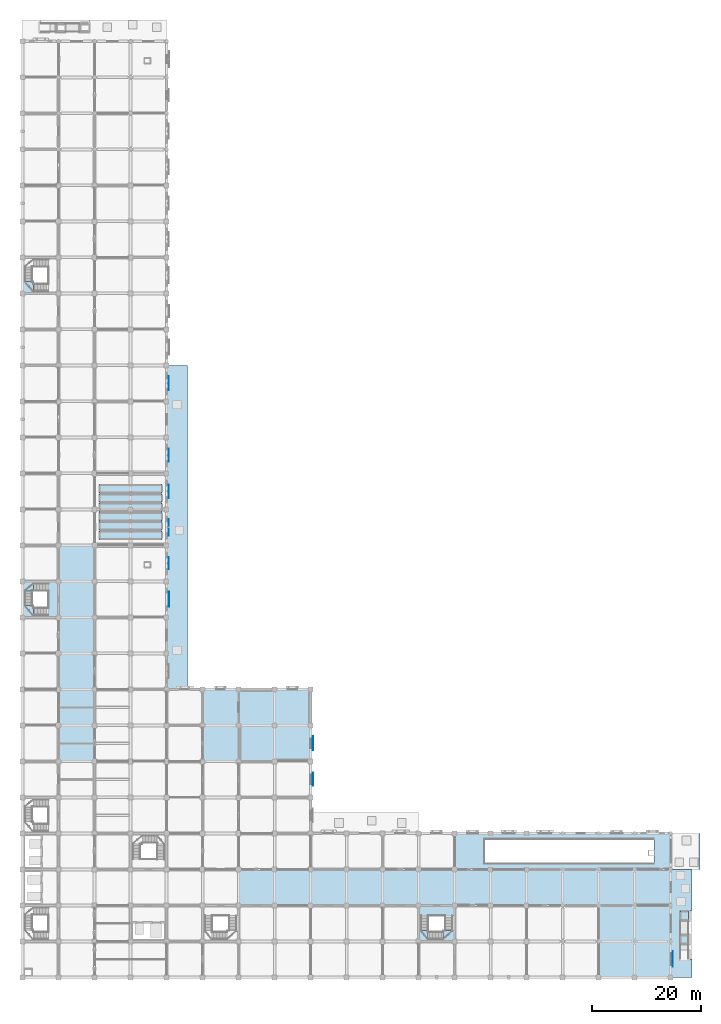
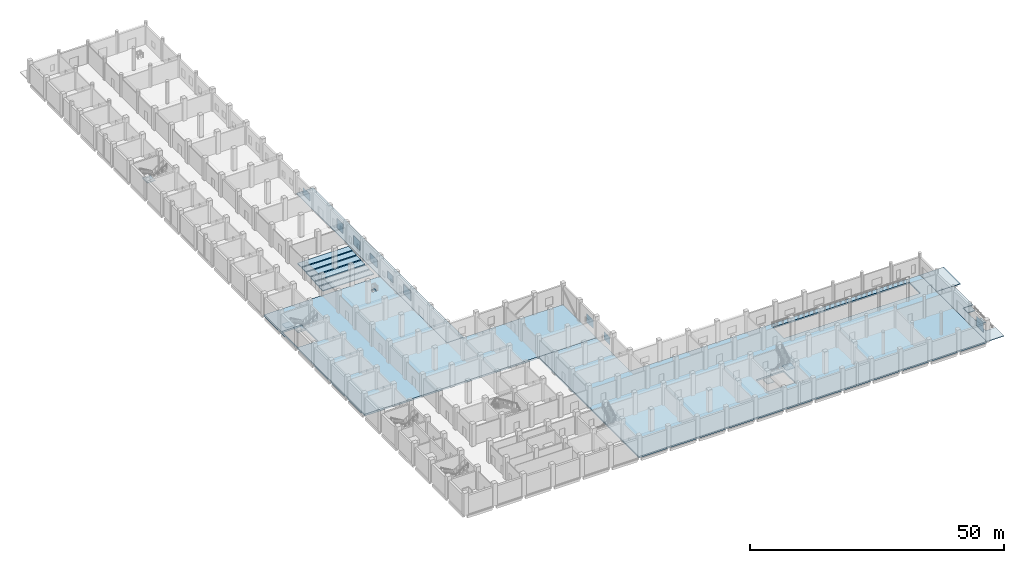
# One storey, part 6 of 28: 18 slabs, 9 plates, 4 elements without a shape of their own.
"""IFC4 building model written with IfcOpenShell, lengths in metres."""

from ifc_helpers import new_model, si_unit, direction, frame, origin, origin_2d, place, context, subcontext, project, spatial, polyline, rectangle, outline, extrude, material, layer, layer_set, type_object, element, aggregate, save


model = new_model("IFC4")

# Units and contexts
model_context = context("Model", 3, precision=1e-05, world=origin(), true_north=direction((0.0, 1.0)))
body_context = subcontext(model_context, "Body", "Model", "MODEL_VIEW")
ifc_project = project(units=[si_unit("LENGTHUNIT", "METRE"), si_unit("AREAUNIT", "SQUARE_METRE"), si_unit("VOLUMEUNIT", "CUBIC_METRE"), si_unit("PLANEANGLEUNIT", "RADIAN"), si_unit("MASSUNIT", "GRAM", prefix="KILO")], contexts=[model_context])

# Site, building, storey
site_placement = place(None, origin())
site = spatial("IfcSite", under=ifc_project, at=site_placement, CompositionType="ELEMENT")
building_placement = place(site_placement, origin())
building = spatial("IfcBuilding", under=site, at=building_placement, Name="Rusizi Kubbe Research Institute", CompositionType="ELEMENT")
storey_placement = place(building_placement, origin())
storey = spatial("IfcBuildingStorey", under=building, at=storey_placement, Name="L00", CompositionType="ELEMENT", Elevation=0.0)

# Plates
ifc_material_1 = material(Name="Perforated Architectural Bronze Screen", Category="steel")
ifc_layer_1 = layer(ifc_material_1, 0.01806640625)
ifc_layer_set_1 = layer_set([ifc_layer_1], Name="Perforated Architectural Bronze Screen")
plate_type_1 = type_object("IfcPlateType", Name="MS-01", PredefinedType="SHEET", material=ifc_layer_set_1)
plate_1_placement = place(storey_placement, frame((26.797607421875, 95.699951171875, 0.759765625), z_axis=(0.0, 0.0, 1.0), x_axis=(0.0, 1.0, 0.0)))
element("IfcPlate", 1, at=plate_1_placement, inside=storey, type_object=plate_type_1, Name="Mashrabiya Perforated Screen MS-01-006", PredefinedType="SHEET", context=body_context, shape_type="SweptSolid", body=[
    extrude(rectangle(XDim=2.39990234375, YDim=0.01806640625, at=origin_2d()), origin(), (0.0, 0.0, 1.0), 2.340087890625),
])
plate_2_placement = place(storey_placement, frame((53.239990234375, 36.300048828125, 0.760009765625), z_axis=(0.0, 0.0, 1.0), x_axis=(0.0, 1.0, 0.0)))
element("IfcPlate", 2, at=plate_2_placement, inside=storey, type_object=plate_type_1, Name="Mashrabiya Perforated Screen MS-01-018", PredefinedType="SHEET", context=body_context, shape_type="SweptSolid", body=[
    extrude(rectangle(XDim=2.39990234375, YDim=0.01806640625, at=origin_2d()), origin(), (0.0, 0.0, 1.0), 1.89990234375),
])
ifc_material_2 = material(Name="Perforated Architectural Bronze Screen", Category="steel")
ifc_layer_2 = layer(ifc_material_2, 0.02001953125)
ifc_layer_set_2 = layer_set([ifc_layer_2], Name="Perforated Architectural Bronze Screen")
plate_type_2 = type_object("IfcPlateType", Name="MS-02", PredefinedType="SHEET", material=ifc_layer_set_2)
plate_3_placement = place(storey_placement, frame((26.782470703125, 108.89990234375, 0.76025390625), z_axis=(0.0, 0.0, 1.0), x_axis=(0.0, 1.0, 0.0)))
element("IfcPlate", 3, at=plate_3_placement, inside=storey, type_object=plate_type_2, Name="Mashrabiya Perforated Screen MS-02-007", PredefinedType="SHEET", context=body_context, shape_type="SweptSolid", body=[
    extrude(rectangle(XDim=2.60009765625, YDim=0.02001953125, at=origin_2d()), origin(), (0.0, 0.0, 1.0), 1.679931640625),
])
plate_4_placement = place(storey_placement, frame((53.22998046875, 42.89990234375, 0.760009765625), z_axis=(0.0, 0.0, 1.0), x_axis=(0.0, 1.0, 0.0)))
element("IfcPlate", 4, at=plate_4_placement, inside=storey, type_object=plate_type_2, Name="Mashrabiya Perforated Screen MS-02-019", PredefinedType="SHEET", context=body_context, shape_type="SweptSolid", body=[
    extrude(rectangle(XDim=2.60009765625, YDim=0.02001953125, at=origin_2d()), origin(), (0.0, 0.0, 1.0), 2.1201171875),
])
ifc_material_3 = material(Name="Perforated Architectural Bronze Screen", Category="steel")
ifc_layer_3 = layer(ifc_material_3, 0.02197265625)
ifc_layer_set_3 = layer_set([ifc_layer_3], Name="Perforated Architectural Bronze Screen")
plate_type_3 = type_object("IfcPlateType", Name="MS-03", PredefinedType="SHEET", material=ifc_layer_set_3)
for number, where, z_axis, x_axis, name in (
    (5, (26.830078125, 69.300048828125, 0.759765625), (0.0, 0.0, 1.0), (0.0, 1.0, 0.0), "Mashrabiya Perforated Screen MS-03-002"),
    (6, (119.197509765625, 3.35009765625, 0.759765625), (0.0, 0.0, 1.0), (0.0, 1.0, 0.0), "Mashrabiya Perforated Screen MS-03-020"),
):
    element("IfcPlate", number, at=place(storey_placement, frame(where, z_axis=z_axis, x_axis=x_axis)), inside=storey, type_object=plate_type_3, Name=name, PredefinedType="SHEET", context=body_context, shape_type="SweptSolid", body=[
        extrude(rectangle(XDim=2.800048828125, YDim=0.02197265625, at=origin_2d()), origin(), (0.0, 0.0, 1.0), 2.340087890625),
    ])
ifc_material_4 = material(Name="Perforated Architectural Bronze Screen", Category="steel")
ifc_layer_4 = layer(ifc_material_4, 0.01611328125)
ifc_layer_set_4 = layer_set([ifc_layer_4], Name="Perforated Architectural Bronze Screen")
plate_type_4 = type_object("IfcPlateType", Name="MS-04", PredefinedType="SHEET", material=ifc_layer_set_4)
plate_5_placement = place(storey_placement, frame((26.820068359375, 75.89990234375, 0.76025390625), z_axis=(0.0, 0.0, 1.0), x_axis=(0.0, 1.0, 0.0)))
element("IfcPlate", 7, at=plate_5_placement, inside=storey, type_object=plate_type_4, Name="Mashrabiya Perforated Screen MS-04-003", PredefinedType="SHEET", context=body_context, shape_type="SweptSolid", body=[
    extrude(rectangle(XDim=2.199951171875, YDim=0.01611328125, at=origin_2d()), origin(), (0.0, 0.0, 1.0), 1.679931640625),
])
ifc_material_5 = material(Name="Perforated Architectural Bronze Screen", Category="steel")
ifc_layer_5 = layer(ifc_material_5, 0.02392578125)
ifc_layer_set_5 = layer_set([ifc_layer_5], Name="Perforated Architectural Bronze Screen")
plate_type_5 = type_object("IfcPlateType", Name="MS-05", PredefinedType="SHEET", material=ifc_layer_set_5)
plate_6_placement = place(storey_placement, frame((26.8125, 82.5, 0.760009765625), z_axis=(0.0, 0.0, 1.0), x_axis=(0.0, 1.0, 0.0)))
element("IfcPlate", 8, at=plate_6_placement, inside=storey, type_object=plate_type_5, Name="Mashrabiya Perforated Screen MS-05-004", PredefinedType="SHEET", context=body_context, shape_type="SweptSolid", body=[
    extrude(rectangle(XDim=3.0, YDim=0.02392578125, at=origin_2d()), origin(), (0.0, 0.0, 1.0), 1.89990234375),
])
ifc_material_6 = material(Name="Perforated Architectural Bronze Screen", Category="steel")
ifc_layer_6 = layer(ifc_material_6, 0.01904296875)
ifc_layer_set_6 = layer_set([ifc_layer_6], Name="Perforated Architectural Bronze Screen")
plate_type_6 = type_object("IfcPlateType", Name="MS-06", PredefinedType="SHEET", material=ifc_layer_set_6)
plate_7_placement = place(storey_placement, frame((26.804931640625, 89.10009765625, 0.760009765625), z_axis=(0.0, 0.0, 1.0), x_axis=(0.0, 1.0, 0.0)))
element("IfcPlate", 9, at=plate_7_placement, inside=storey, type_object=plate_type_6, Name="Mashrabiya Perforated Screen MS-06-005", PredefinedType="SHEET", context=body_context, shape_type="SweptSolid", body=[
    extrude(rectangle(XDim=2.5, YDim=0.01904296875, at=origin_2d()), origin(), (0.0, 0.0, 1.0), 2.1201171875),
])

# Slabs
ifc_material_7 = material(Name="Concrete C40/50", Category="concrete")
ifc_layer_7 = layer(ifc_material_7, 0.14990234375)
ifc_layer_set_7 = layer_set([ifc_layer_7], Name="Concrete C40/50")
slab_type_1 = type_object("IfcSlabType", Name="SL-APRON", PredefinedType="FLOOR", material=ifc_layer_set_7)
slab_1_placement = place(storey_placement, frame((0.0, 0.0, -0.14990234375)))
element("IfcSlab", 10, at=slab_1_placement, inside=storey, type_object=slab_type_1, Name="Forecourt Threshold Slab EAST-STREET-1", PredefinedType="FLOOR", context=body_context, shape_type="SweptSolid", body=[
    extrude(outline(polyline([(122.699951171875, 0.0), (118.800048828125, 0.0), (118.800048828125, 19.800048828125), (122.699951171875, 19.800048828125), (122.699951171875, 12.25), (120.449951171875, 12.25), (120.449951171875, 3.300048828125), (122.699951171875, 3.300048828125), (122.699951171875, 0.0)])), origin(), (0.0, 0.0, 1.0), 0.14990234375),
])
slab_2_placement = place(storey_placement, frame((0.0, 0.0, -0.14990234375)))
element("IfcSlab", 11, at=slab_2_placement, inside=storey, type_object=slab_type_1, Name="Forecourt Threshold Slab VEH-DRIVEWAY-1", PredefinedType="FLOOR", context=body_context, shape_type="SweptSolid", body=[
    extrude(outline(polyline([(118.800048828125, 19.800048828125), (118.800048828125, 26.39990234375), (124.199951171875, 26.39990234375), (124.199951171875, 19.800048828125), (118.800048828125, 19.800048828125)])), origin(), (0.0, 0.0, 1.0), 0.14990234375),
])
slab_3_placement = place(storey_placement, frame((0.0, 0.0, -0.14990234375)))
element("IfcSlab", 12, at=slab_3_placement, inside=storey, type_object=slab_type_1, Name="Forecourt Threshold Slab CLOISTER-WEST-1", PredefinedType="FLOOR", context=body_context, shape_type="SweptSolid", body=[
    extrude(outline(polyline([(26.39990234375, 52.800048828125), (26.39990234375, 112.199951171875), (30.199951171875, 112.199951171875), (30.199951171875, 52.800048828125), (26.39990234375, 52.800048828125)])), origin(), (0.0, 0.0, 1.0), 0.14990234375),
])
ifc_material_8 = material(Name="Concrete C40/50", Category="concrete")
ifc_layer_8 = layer(ifc_material_8, 0.360107421875)
ifc_layer_set_8 = layer_set([ifc_layer_8], Name="Concrete C40/50")
slab_type_2 = type_object("IfcSlabType", Name="SL-F360", PredefinedType="FLOOR", material=ifc_layer_set_8)
slab_4_placement = place(storey_placement, frame((0.0, 0.0, -0.360107421875)))
element("IfcSlab", 13, at=slab_4_placement, inside=storey, type_object=slab_type_2, Name="Structural Slab L00 EAST", PredefinedType="FLOOR", context=body_context, shape_type="SweptSolid", body=[
    extrude(outline(polyline([(39.60009765625, 33.0), (39.60009765625, 39.60009765625), (46.199951171875, 39.60009765625), (52.800048828125, 39.60009765625), (52.800048828125, 33.0), (52.800048828125, 26.39990234375), (59.39990234375, 26.39990234375), (66.0, 26.39990234375), (72.60009765625, 26.39990234375), (79.199951171875, 26.39990234375), (85.800048828125, 26.39990234375), (92.39990234375, 26.39990234375), (99.0, 26.39990234375), (105.60009765625, 26.39990234375), (112.199951171875, 26.39990234375), (118.800048828125, 26.39990234375), (118.800048828125, 19.800048828125), (118.800048828125, 13.199951171875), (118.800048828125, 6.60009765625), (118.800048828125, 0.0), (112.199951171875, 0.0), (105.60009765625, 0.0), (99.0, 0.0), (92.39990234375, 0.0), (85.800048828125, 0.0), (79.199951171875, 0.0), (72.60009765625, 0.0), (66.0, 0.0), (59.39990234375, 0.0), (52.800048828125, 0.0), (46.199951171875, 0.0), (39.60009765625, 0.0), (39.60009765625, 6.60009765625), (39.60009765625, 13.199951171875), (39.60009765625, 19.800048828125), (39.60009765625, 26.39990234375), (39.60009765625, 33.0)]), holes=[polyline([(79.06005859375, 11.300048828125), (72.739990234375, 11.300048828125), (72.739990234375, 6.739990234375), (79.06005859375, 6.739990234375), (79.06005859375, 11.300048828125)]), polyline([(115.75, 22.39990234375), (115.75, 23.25), (115.719970703125, 23.25), (115.719970703125, 25.280029296875), (84.719970703125, 25.280029296875), (84.719970703125, 20.919921875), (115.719970703125, 20.919921875), (115.719970703125, 22.39990234375), (115.75, 22.39990234375)])]), origin(), (0.0, 0.0, 1.0), 0.360107421875),
])
ifc_material_9 = material(Name="Concrete C40/50", Category="concrete")
ifc_layer_9 = layer(ifc_material_9, 0.409912109375)
ifc_layer_set_9 = layer_set([ifc_layer_9], Name="Concrete C40/50")
slab_type_3 = type_object("IfcSlabType", Name="SL-F380", PredefinedType="FLOOR", material=ifc_layer_set_9)
slab_5_placement = place(storey_placement, frame((0.0, 0.0, -0.409912109375)))
element("IfcSlab", 14, at=slab_5_placement, inside=storey, type_object=slab_type_3, Name="Structural Slab L00 NORTHA", PredefinedType="FLOOR", context=body_context, shape_type="SweptSolid", body=[
    extrude(outline(polyline([(0.0, 72.60009765625), (0.0, 79.199951171875), (6.60009765625, 79.199951171875), (13.199951171875, 79.199951171875), (19.800048828125, 79.199951171875), (26.39990234375, 79.199951171875), (26.39990234375, 72.60009765625), (26.39990234375, 66.0), (26.39990234375, 59.39990234375), (26.39990234375, 52.800048828125), (33.0, 52.800048828125), (39.60009765625, 52.800048828125), (46.199951171875, 52.800048828125), (52.800048828125, 52.800048828125), (52.800048828125, 46.199951171875), (52.800048828125, 39.60009765625), (46.199951171875, 39.60009765625), (39.60009765625, 39.60009765625), (33.0, 39.60009765625), (26.39990234375, 39.60009765625), (19.800048828125, 39.60009765625), (13.199951171875, 39.60009765625), (6.60009765625, 39.60009765625), (0.0, 39.60009765625), (0.0, 46.199951171875), (0.0, 52.800048828125), (0.0, 59.39990234375), (0.0, 66.0), (0.0, 72.60009765625)]), holes=[polyline([(4.699951171875, 72.4599609375), (0.139892578125, 72.4599609375), (0.139892578125, 66.139892578125), (4.699951171875, 66.139892578125), (4.699951171875, 72.4599609375)]), polyline([(23.35009765625, 76.050048828125), (22.39990234375, 76.050048828125), (22.39990234375, 75.199951171875), (23.35009765625, 75.199951171875), (23.35009765625, 76.050048828125)])]), origin(), (0.0, 0.0, 1.0), 0.409912109375),
])

# Stair, slabs
ifc_material_10 = material(Name="Concrete C40/50", Category="concrete")
stair_type = type_object("IfcStairType", Name="ST-H540", PredefinedType="THREE_QUARTER_TURN_STAIR", material=ifc_material_10)
stair_1_placement = place(storey_placement, origin())
stair_1 = element("IfcStair", 15, at=stair_1_placement, inside=storey, type_object=stair_type, Name="Protected Exit Stair ST5 (L00)", PredefinedType="THREE_QUARTER_TURN_STAIR")
ifc_material_11 = material(Name="Concrete C40/50", Category="concrete")
ifc_layer_10 = layer(ifc_material_11, 0.179931640625)
ifc_layer_set_10 = layer_set([ifc_layer_10], Name="Concrete C40/50")
slab_type_4 = type_object("IfcSlabType", Name="SL-L180", PredefinedType="LANDING", material=ifc_layer_set_10)
slab_6_placement = place(storey_placement, frame((0.0, 0.0, 1.6201171875)))
slab_6 = element("IfcSlab", 16, at=slab_6_placement, type_object=slab_type_4, Name="ST5 landing 1", PredefinedType="LANDING", context=body_context, shape_type="SweptSolid", body=[
    extrude(outline(polyline([(1.986083984375, 72.4599609375), (0.139892578125, 72.4599609375), (0.139892578125, 70.85009765625), (1.986083984375, 70.85009765625), (1.986083984375, 72.4599609375)])), origin(), (0.0, 0.0, 1.0), 0.179931640625),
])
slab_7_placement = place(storey_placement, frame((0.0, 0.0, 3.419921875)))
slab_7 = element("IfcSlab", 17, at=slab_7_placement, type_object=slab_type_4, Name="ST5 landing 2", PredefinedType="LANDING", context=body_context, shape_type="SweptSolid", body=[
    extrude(outline(polyline([(1.986083984375, 68.135986328125), (0.139892578125, 68.135986328125), (0.139892578125, 66.139892578125), (1.986083984375, 66.139892578125), (1.986083984375, 68.135986328125)])), origin(), (0.0, 0.0, 1.0), 0.18017578125),
])
aggregate(stair_1, [slab_6, slab_7])

# Stair, slab
stair_2_placement = place(storey_placement, origin())
stair_2 = element("IfcStair", 18, at=stair_2_placement, inside=storey, type_object=stair_type, Name="Protected Exit Stair ST6 (L00)", PredefinedType="THREE_QUARTER_TURN_STAIR")
slab_8_placement = place(storey_placement, frame((0.0, 0.0, 3.419921875)))
slab_8 = element("IfcSlab", 19, at=slab_8_placement, type_object=slab_type_4, Name="ST6 landing 2", PredefinedType="LANDING", context=body_context, shape_type="SweptSolid", body=[
    extrude(outline(polyline([(1.986083984375, 127.535888671875), (0.139892578125, 127.535888671875), (0.139892578125, 125.5400390625), (1.986083984375, 125.5400390625), (1.986083984375, 127.535888671875)])), origin(), (0.0, 0.0, 1.0), 0.18017578125),
])
aggregate(stair_2, [slab_8])

# Stair, slabs
stair_3_placement = place(storey_placement, origin())
stair_3 = element("IfcStair", 20, at=stair_3_placement, inside=storey, type_object=stair_type, Name="Protected Exit Stair ST7 (L00)", PredefinedType="THREE_QUARTER_TURN_STAIR")
slab_9_placement = place(storey_placement, frame((0.0, 0.0, 1.6201171875)))
slab_9 = element("IfcSlab", 21, at=slab_9_placement, type_object=slab_type_4, Name="ST7 landing 1", PredefinedType="LANDING", context=body_context, shape_type="SweptSolid", body=[
    extrude(outline(polyline([(72.739990234375, 8.5859375), (72.739990234375, 6.739990234375), (74.35009765625, 6.739990234375), (74.35009765625, 8.5859375), (72.739990234375, 8.5859375)])), origin(), (0.0, 0.0, 1.0), 0.179931640625),
])
slab_10_placement = place(storey_placement, frame((0.0, 0.0, 3.419921875)))
slab_10 = element("IfcSlab", 22, at=slab_10_placement, type_object=slab_type_4, Name="ST7 landing 2", PredefinedType="LANDING", context=body_context, shape_type="SweptSolid", body=[
    extrude(outline(polyline([(77.06396484375, 8.5859375), (77.06396484375, 6.739990234375), (79.06005859375, 6.739990234375), (79.06005859375, 8.5859375), (77.06396484375, 8.5859375)])), origin(), (0.0, 0.0, 1.0), 0.18017578125),
])
aggregate(stair_3, [slab_9, slab_10])

# Slabs
ifc_material_12 = material(Name="Concrete C40/50", Category="concrete")
ifc_layer_11 = layer(ifc_material_12, 0.199951171875)
ifc_layer_set_11 = layer_set([ifc_layer_11], Name="Concrete C40/50")
slab_type_5 = type_object("IfcSlabType", Name="SL-LP200", PredefinedType="USERDEFINED", material=ifc_layer_set_11)
slab_11_placement = place(storey_placement, frame((0.0, 0.0, 0.02001953125)))
element("IfcSlab", 23, at=slab_11_placement, inside=storey, type_object=slab_type_5, Name="Lecture Auditorium Step Platform 1", ObjectType="LECTURE PLATFORM", PredefinedType="USERDEFINED", context=body_context, shape_type="SweptSolid", body=[
    extrude(outline(polyline([(25.60009765625, 80.300048828125), (25.60009765625, 81.85009765625), (14.0, 81.85009765625), (14.0, 80.300048828125), (25.60009765625, 80.300048828125)])), origin(), (0.0, 0.0, 1.0), 0.199951171875),
])
slab_12_placement = place(storey_placement, frame((0.0, 0.0, 0.1298828125)))
element("IfcSlab", 24, at=slab_12_placement, inside=storey, type_object=slab_type_5, Name="Lecture Auditorium Step Platform 2", ObjectType="LECTURE PLATFORM", PredefinedType="USERDEFINED", context=body_context, shape_type="SweptSolid", body=[
    extrude(outline(polyline([(25.60009765625, 82.0), (25.60009765625, 83.550048828125), (14.0, 83.550048828125), (14.0, 82.0), (25.60009765625, 82.0)])), origin(), (0.0, 0.0, 1.0), 0.2001953125),
])
slab_13_placement = place(storey_placement, frame((0.0, 0.0, 0.239990234375)))
element("IfcSlab", 25, at=slab_13_placement, inside=storey, type_object=slab_type_5, Name="Lecture Auditorium Step Platform 3", ObjectType="LECTURE PLATFORM", PredefinedType="USERDEFINED", context=body_context, shape_type="SweptSolid", body=[
    extrude(outline(polyline([(25.60009765625, 83.699951171875), (25.60009765625, 85.25), (14.0, 85.25), (14.0, 83.699951171875), (25.60009765625, 83.699951171875)])), origin(), (0.0, 0.0, 1.0), 0.199951171875),
])
slab_14_placement = place(storey_placement, frame((0.0, 0.0, 0.35009765625)))
element("IfcSlab", 26, at=slab_14_placement, inside=storey, type_object=slab_type_5, Name="Lecture Auditorium Step Platform 4", ObjectType="LECTURE PLATFORM", PredefinedType="USERDEFINED", context=body_context, shape_type="SweptSolid", body=[
    extrude(outline(polyline([(25.60009765625, 85.39990234375), (25.60009765625, 86.949951171875), (14.0, 86.949951171875), (14.0, 85.39990234375), (25.60009765625, 85.39990234375)])), origin(), (0.0, 0.0, 1.0), 0.199951171875),
])
slab_15_placement = place(storey_placement, frame((0.0, 0.0, 0.4599609375)))
element("IfcSlab", 27, at=slab_15_placement, inside=storey, type_object=slab_type_5, Name="Lecture Auditorium Step Platform 5", ObjectType="LECTURE PLATFORM", PredefinedType="USERDEFINED", context=body_context, shape_type="SweptSolid", body=[
    extrude(outline(polyline([(25.60009765625, 87.10009765625), (25.60009765625, 88.64990234375), (14.0, 88.64990234375), (14.0, 87.10009765625), (25.60009765625, 87.10009765625)])), origin(), (0.0, 0.0, 1.0), 0.199951171875),
])
slab_16_placement = place(storey_placement, frame((0.0, 0.0, 0.5400390625)))
element("IfcSlab", 28, at=slab_16_placement, inside=storey, type_object=slab_type_5, Name="Lecture Auditorium Step Platform 6", ObjectType="LECTURE PLATFORM", PredefinedType="USERDEFINED", context=body_context, shape_type="SweptSolid", body=[
    extrude(outline(polyline([(25.60009765625, 88.800048828125), (25.60009765625, 90.35009765625), (14.0, 90.35009765625), (14.0, 88.800048828125), (25.60009765625, 88.800048828125)])), origin(), (0.0, 0.0, 1.0), 0.199951171875),
])

# Ramp, slabs
ifc_material_13 = material(Name="Concrete C40/50", Category="concrete")
ramp_type = type_object("IfcRampType", Name="RP-PED", PredefinedType="TWO_STRAIGHT_RUN_RAMP", material=ifc_material_13)
ramp_placement = place(storey_placement, origin())
ramp = element("IfcRamp", 29, at=ramp_placement, inside=storey, type_object=ramp_type, Name="Accessible Ramp RAMP-EAST-01", PredefinedType="TWO_STRAIGHT_RUN_RAMP")
ifc_material_14 = material(Name="Concrete C40/50", Category="concrete")
ifc_layer_12 = layer(ifc_material_14, 0.179931640625)
ifc_layer_set_12 = layer_set([ifc_layer_12], Name="Concrete C40/50")
slab_type_6 = type_object("IfcSlabType", Name="SL-RLAND", PredefinedType="LANDING", material=ifc_layer_set_12)
slab_17_placement = place(storey_placement, frame((0.0, 0.0, -0.389892578125)))
slab_17 = element("IfcSlab", 30, at=slab_17_placement, type_object=slab_type_6, Name="RP-01 landing 1", PredefinedType="LANDING", context=body_context, shape_type="SweptSolid", body=[
    extrude(outline(polyline([(120.5, 6.10009765625), (122.10009765625, 6.10009765625), (122.10009765625, 7.780029296875), (120.5, 7.780029296875), (120.5, 6.10009765625)])), origin(), (0.0, 0.0, 1.0), 0.179931640625),
])
slab_18_placement = place(storey_placement, frame((0.0, 0.0, -0.179931640625)))
slab_18 = element("IfcSlab", 31, at=slab_18_placement, type_object=slab_type_6, Name="RP-01 landing 2", PredefinedType="LANDING", context=body_context, shape_type="SweptSolid", body=[
    extrude(outline(polyline([(120.5, 10.39990234375), (122.10009765625, 10.39990234375), (122.10009765625, 12.199951171875), (120.5, 12.199951171875), (120.5, 10.39990234375)])), origin(), (0.0, 0.0, 1.0), 0.179931640625),
])
aggregate(ramp, [slab_17, slab_18])

save(model, "model.ifc")
